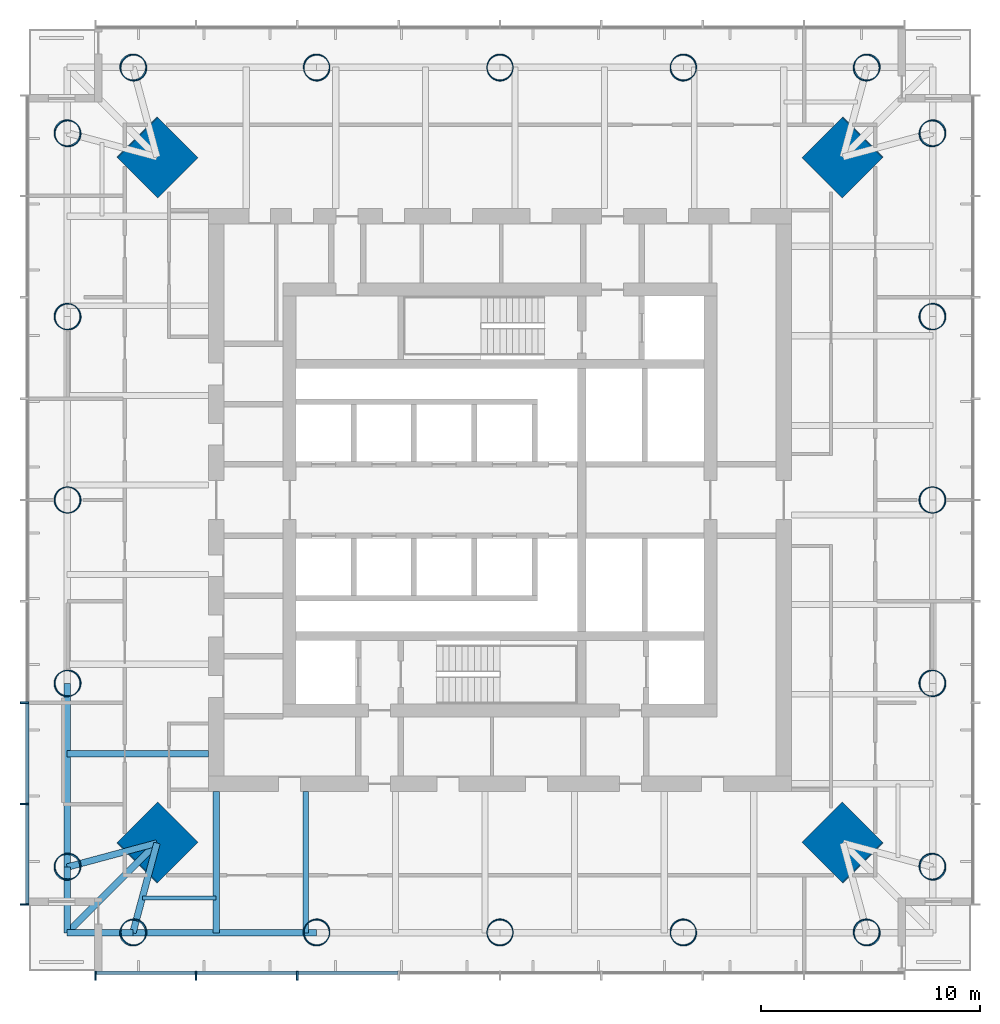
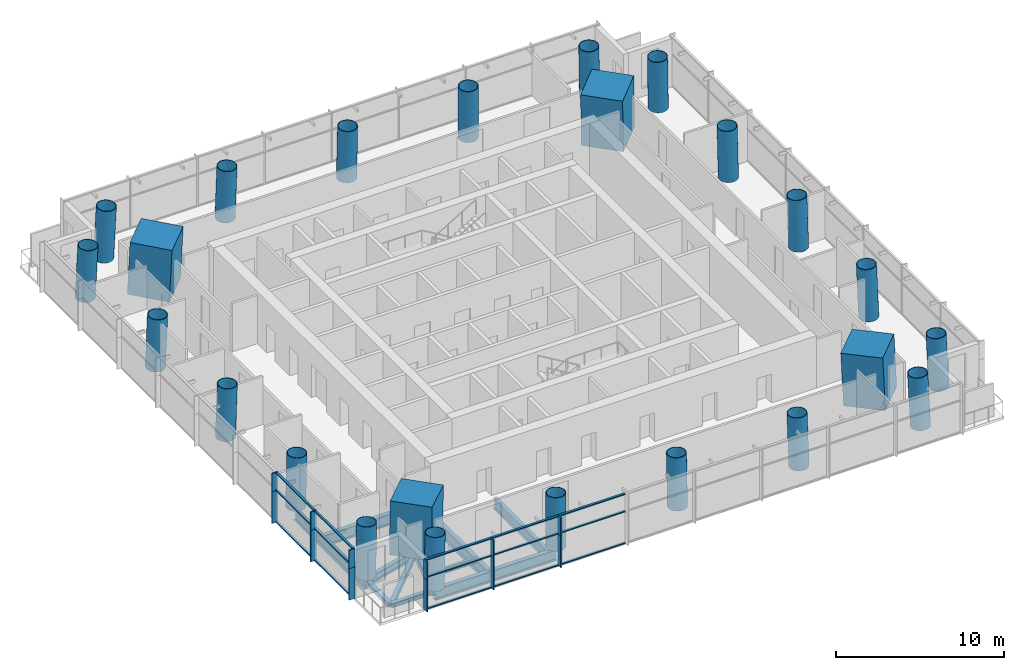
# One storey, part 1 of 11: 27 members, 24 columns, 11 beams, 4 elements without a shape of their own.
"""IFC4 building model written with IfcOpenShell, lengths in metres."""

from ifc_helpers import new_model, si_unit, direction, frame, origin, origin_2d, place, context, subcontext, project, spatial, rectangle, hollow_circle, i_section, extrude, material, material_profile, profile_set, type_object, element, aggregate, save


model = new_model("IFC4")

# Units and contexts
model_context = context("Model", 3, precision=1e-05, world=origin(), true_north=direction((0.0, 1.0)))
body_context = subcontext(model_context, "Body", "Model", "MODEL_VIEW")
ifc_project = project(units=[si_unit("LENGTHUNIT", "METRE"), si_unit("AREAUNIT", "SQUARE_METRE"), si_unit("VOLUMEUNIT", "CUBIC_METRE"), si_unit("PLANEANGLEUNIT", "RADIAN"), si_unit("MASSUNIT", "GRAM", prefix="KILO")], contexts=[model_context])

# Site, building, storey
site_placement = place(None, origin())
site = spatial("IfcSite", under=ifc_project, at=site_placement, CompositionType="ELEMENT")
building_placement = place(site_placement, origin())
building = spatial("IfcBuilding", under=site, at=building_placement, Name="Ostroluk Exchange", CompositionType="ELEMENT")
storey_placement = place(building_placement, frame((0.0, 0.0, 154.0)))
storey = spatial("IfcBuildingStorey", under=building, at=storey_placement, Name="L39", CompositionType="ELEMENT", Elevation=154.0)

# Columns
ifc_material_1 = material(Name="Concrete C50/60", Category="concrete")
ifc_material_profile_1 = material_profile(ifc_material_1, rectangle(XDim=2.60009765625, YDim=2.60009765625, at=origin_2d()), Name="RC 2600x2600")
ifc_profile_set_1 = profile_set([ifc_material_profile_1], Name="Concrete C50/60")
column_type_1 = type_object("IfcColumnType", Name="Mega column RC 2600x2600", PredefinedType="COLUMN", material=ifc_profile_set_1)
for number, where, z_axis, x_axis, name in (
    (1, (60.64990234375, 61.64990234375, 0.0), (-0.031898107953, -0.031898107953, 0.998981992539), (0.707106781187, -0.707106781187, 0.0), "T1 mega column NE"),
    (2, (29.35009765625, 61.64990234375, 0.0), (0.031898107953, -0.031898107953, 0.998981992539), (0.707106781187, 0.707106781187, 0.0), "T1 mega column NW"),
    (3, (29.35009765625, 30.35009765625, 0.0), (0.031898107953, 0.031898107953, 0.998981992539), (-0.707106781187, 0.707106781187, 0.0), "T1 mega column SW"),
    (4, (60.64990234375, 30.35009765625, 0.0), (-0.031898107953, 0.031898107953, 0.998981992539), (-0.707106781187, -0.707106781187, 0.0), "T1 mega column SE"),
):
    element("IfcColumn", number, at=place(storey_placement, frame(where, z_axis=z_axis, x_axis=x_axis)), inside=storey, type_object=column_type_1, Name=name, PredefinedType="COLUMN", context=body_context, shape_type="SweptSolid", body=[
        extrude(rectangle(XDim=2.60009765625, YDim=2.60009765625, at=origin_2d()), origin(), (0.0, 0.0, 1.0), 3.803955078125),
    ])
ifc_material_2 = material(Name="Steel S460", Category="steel")
ifc_material_profile_2 = material_profile(ifc_material_2, hollow_circle(Radius=0.609619140625, WallThickness=0.0400390625, at=origin_2d()), Name="CHS 1219x40")
ifc_profile_set_2 = profile_set([ifc_material_profile_2], Name="Steel S460")
column_type_2 = type_object("IfcColumnType", Name="Perimeter column CHS 1219x40", PredefinedType="COLUMN", material=ifc_profile_set_2)
for number, where, z_axis, x_axis, name in (
    (5, (64.75, 29.25, 0.0), (-0.031898107953, 0.031898107953, 0.998981992539), (-0.707106781187, -0.707106781187, 0.0), "T1 east face column E0"),
    (6, (64.75, 62.75, 0.0), (-0.031898107953, -0.031898107953, 0.998981992539), (0.707106781187, -0.707106781187, 0.0), "T1 east face column E1"),
):
    element("IfcColumn", number, at=place(storey_placement, frame(where, z_axis=z_axis, x_axis=x_axis)), inside=storey, type_object=column_type_2, Name=name, PredefinedType="COLUMN", context=body_context, shape_type="SweptSolid", body=[
        extrude(hollow_circle(Radius=0.609619140625, WallThickness=0.0400390625, at=origin_2d()), origin(), (0.0, 0.0, 1.0), 3.803955078125),
    ])
column_1_placement = place(storey_placement, frame((64.75, 37.625, 0.0), z_axis=(-0.031910269556, 0.015987237665, 0.999362868496), x_axis=(-0.447933021895, -0.894067115991, 0.0)))
element("IfcColumn", 7, at=column_1_placement, inside=storey, type_object=column_type_2, Name="T1 east face column I1", PredefinedType="COLUMN", context=body_context, shape_type="SweptSolid", body=[
    extrude(hollow_circle(Radius=0.609619140625, WallThickness=0.0400390625, at=origin_2d()), origin(), (0.0, 0.0, 1.0), 3.802490234375),
])
column_2_placement = place(storey_placement, frame((64.75, 46.0, 0.0), z_axis=(-0.031914348339, 0.0, 0.999490607445), x_axis=(0.0, -1.0, 0.0)))
element("IfcColumn", 8, at=column_2_placement, inside=storey, type_object=column_type_2, Name="T1 east face column I2", PredefinedType="COLUMN", context=body_context, shape_type="SweptSolid", body=[
    extrude(hollow_circle(Radius=0.609619140625, WallThickness=0.0400390625, at=origin_2d()), origin(), (0.0, 0.0, 1.0), 3.802001953125),
])
column_3_placement = place(storey_placement, frame((64.75, 54.375, 0.0), z_axis=(-0.031910269556, -0.015987237665, 0.999362868496), x_axis=(0.447933021895, -0.894067115991, 0.0)))
element("IfcColumn", 9, at=column_3_placement, inside=storey, type_object=column_type_2, Name="T1 east face column I3", PredefinedType="COLUMN", context=body_context, shape_type="SweptSolid", body=[
    extrude(hollow_circle(Radius=0.609619140625, WallThickness=0.0400390625, at=origin_2d()), origin(), (0.0, 0.0, 1.0), 3.802490234375),
])
for number, where, z_axis, x_axis, name in (
    (10, (61.75, 65.75, 0.0), (-0.031898107953, -0.031898107953, 0.998981992539), (0.707106781187, -0.707106781187, 0.0), "T1 north face column E0"),
    (11, (28.25, 65.75, 0.0), (0.031898107953, -0.031898107953, 0.998981992539), (0.707106781187, 0.707106781187, 0.0), "T1 north face column E1"),
):
    element("IfcColumn", number, at=place(storey_placement, frame(where, z_axis=z_axis, x_axis=x_axis)), inside=storey, type_object=column_type_2, Name=name, PredefinedType="COLUMN", context=body_context, shape_type="SweptSolid", body=[
        extrude(hollow_circle(Radius=0.609619140625, WallThickness=0.0400390625, at=origin_2d()), origin(), (0.0, 0.0, 1.0), 3.803955078125),
    ])
column_4_placement = place(storey_placement, frame((53.375, 65.75, 0.0), z_axis=(-0.015987237665, -0.031910269556, 0.999362868496), x_axis=(0.894067115991, -0.447933021895, 0.0)))
element("IfcColumn", 12, at=column_4_placement, inside=storey, type_object=column_type_2, Name="T1 north face column I1", PredefinedType="COLUMN", context=body_context, shape_type="SweptSolid", body=[
    extrude(hollow_circle(Radius=0.609619140625, WallThickness=0.0400390625, at=origin_2d()), origin(), (0.0, 0.0, 1.0), 3.802490234375),
])
column_5_placement = place(storey_placement, frame((45.0, 65.75, 0.0), z_axis=(0.0, -0.031914348339, 0.999490607445), x_axis=(1.0, 0.0, 0.0)))
element("IfcColumn", 13, at=column_5_placement, inside=storey, type_object=column_type_2, Name="T1 north face column I2", PredefinedType="COLUMN", context=body_context, shape_type="SweptSolid", body=[
    extrude(hollow_circle(Radius=0.609619140625, WallThickness=0.0400390625, at=origin_2d()), origin(), (0.0, 0.0, 1.0), 3.802001953125),
])
column_6_placement = place(storey_placement, frame((36.625, 65.75, 0.0), z_axis=(0.015987237665, -0.031910269556, 0.999362868496), x_axis=(0.894067115991, 0.447933021895, 0.0)))
element("IfcColumn", 14, at=column_6_placement, inside=storey, type_object=column_type_2, Name="T1 north face column I3", PredefinedType="COLUMN", context=body_context, shape_type="SweptSolid", body=[
    extrude(hollow_circle(Radius=0.609619140625, WallThickness=0.0400390625, at=origin_2d()), origin(), (0.0, 0.0, 1.0), 3.802490234375),
])
for number, where, z_axis, x_axis, name in (
    (15, (25.25, 62.75, 0.0), (0.031898107953, -0.031898107953, 0.998981992539), (0.707106781187, 0.707106781187, 0.0), "T1 west face column E0"),
    (16, (25.25, 29.25, 0.0), (0.031898107953, 0.031898107953, 0.998981992539), (-0.707106781187, 0.707106781187, 0.0), "T1 west face column E1"),
):
    element("IfcColumn", number, at=place(storey_placement, frame(where, z_axis=z_axis, x_axis=x_axis)), inside=storey, type_object=column_type_2, Name=name, PredefinedType="COLUMN", context=body_context, shape_type="SweptSolid", body=[
        extrude(hollow_circle(Radius=0.609619140625, WallThickness=0.0400390625, at=origin_2d()), origin(), (0.0, 0.0, 1.0), 3.803955078125),
    ])
column_7_placement = place(storey_placement, frame((25.25, 54.375, 0.0), z_axis=(0.031910269556, -0.015987237665, 0.999362868496), x_axis=(0.447933021895, 0.894067115991, 0.0)))
element("IfcColumn", 17, at=column_7_placement, inside=storey, type_object=column_type_2, Name="T1 west face column I1", PredefinedType="COLUMN", context=body_context, shape_type="SweptSolid", body=[
    extrude(hollow_circle(Radius=0.609619140625, WallThickness=0.0400390625, at=origin_2d()), origin(), (0.0, 0.0, 1.0), 3.802490234375),
])
column_8_placement = place(storey_placement, frame((25.25, 46.0, 0.0), z_axis=(0.031914348339, 0.0, 0.999490607445), x_axis=(0.0, 1.0, 0.0)))
element("IfcColumn", 18, at=column_8_placement, inside=storey, type_object=column_type_2, Name="T1 west face column I2", PredefinedType="COLUMN", context=body_context, shape_type="SweptSolid", body=[
    extrude(hollow_circle(Radius=0.609619140625, WallThickness=0.0400390625, at=origin_2d()), origin(), (0.0, 0.0, 1.0), 3.802001953125),
])
column_9_placement = place(storey_placement, frame((25.25, 37.625, 0.0), z_axis=(0.031910269556, 0.015987237665, 0.999362868496), x_axis=(-0.447933021895, 0.894067115991, 0.0)))
element("IfcColumn", 19, at=column_9_placement, inside=storey, type_object=column_type_2, Name="T1 west face column I3", PredefinedType="COLUMN", context=body_context, shape_type="SweptSolid", body=[
    extrude(hollow_circle(Radius=0.609619140625, WallThickness=0.0400390625, at=origin_2d()), origin(), (0.0, 0.0, 1.0), 3.802490234375),
])
for number, where, z_axis, x_axis, name in (
    (20, (28.25, 26.25, 0.0), (0.031898107953, 0.031898107953, 0.998981992539), (-0.707106781187, 0.707106781187, 0.0), "T1 south face column E0"),
    (21, (61.75, 26.25, 0.0), (-0.031898107953, 0.031898107953, 0.998981992539), (-0.707106781187, -0.707106781187, 0.0), "T1 south face column E1"),
):
    element("IfcColumn", number, at=place(storey_placement, frame(where, z_axis=z_axis, x_axis=x_axis)), inside=storey, type_object=column_type_2, Name=name, PredefinedType="COLUMN", context=body_context, shape_type="SweptSolid", body=[
        extrude(hollow_circle(Radius=0.609619140625, WallThickness=0.0400390625, at=origin_2d()), origin(), (0.0, 0.0, 1.0), 3.803955078125),
    ])
column_10_placement = place(storey_placement, frame((36.625, 26.25, 0.0), z_axis=(0.015987237665, 0.031910269556, 0.999362868496), x_axis=(-0.894067115991, 0.447933021895, 0.0)))
element("IfcColumn", 22, at=column_10_placement, inside=storey, type_object=column_type_2, Name="T1 south face column I1", PredefinedType="COLUMN", context=body_context, shape_type="SweptSolid", body=[
    extrude(hollow_circle(Radius=0.609619140625, WallThickness=0.0400390625, at=origin_2d()), origin(), (0.0, 0.0, 1.0), 3.802490234375),
])
column_11_placement = place(storey_placement, frame((45.0, 26.25, 0.0), z_axis=(0.0, 0.031914348339, 0.999490607445), x_axis=(-1.0, 0.0, 0.0)))
element("IfcColumn", 23, at=column_11_placement, inside=storey, type_object=column_type_2, Name="T1 south face column I2", PredefinedType="COLUMN", context=body_context, shape_type="SweptSolid", body=[
    extrude(hollow_circle(Radius=0.609619140625, WallThickness=0.0400390625, at=origin_2d()), origin(), (0.0, 0.0, 1.0), 3.802001953125),
])
column_12_placement = place(storey_placement, frame((53.375, 26.25, 0.0), z_axis=(-0.015987237665, 0.031910269556, 0.999362868496), x_axis=(-0.894067115991, -0.447933021895, 0.0)))
element("IfcColumn", 24, at=column_12_placement, inside=storey, type_object=column_type_2, Name="T1 south face column I3", PredefinedType="COLUMN", context=body_context, shape_type="SweptSolid", body=[
    extrude(hollow_circle(Radius=0.609619140625, WallThickness=0.0400390625, at=origin_2d()), origin(), (0.0, 0.0, 1.0), 3.802490234375),
])

# Beams
ifc_material_3 = material(Name="Steel S355", Category="steel")
ifc_material_profile_3 = material_profile(ifc_material_3, i_section(OverallWidth=0.300048828125, OverallDepth=0.300048828125, WebThickness=0.010986328125, FlangeThickness=0.01904296875, FilletRadius=0.027099609375, at=origin_2d()), Name="HEB 300")
ifc_profile_set_3 = profile_set([ifc_material_profile_3], Name="Steel S355")
beam_type_1 = type_object("IfcBeamType", Name="Balcony beam HEB 300", PredefinedType="BEAM", material=ifc_profile_set_3)
for number, where, z_axis, x_axis, name in (
    (25, (25.25, 29.25, -0.330078125), (0.0, -1.0, 0.0), (1.0, 0.0, 0.0), "T1 west balcony beam a"),
    (26, (28.25, 26.25, -0.330078125), (-1.0, 0.0, 0.0), (0.0, -1.0, 0.0), "T1 west balcony beam b"),
):
    element("IfcBeam", number, at=place(storey_placement, frame(where, z_axis=z_axis, x_axis=x_axis)), inside=storey, type_object=beam_type_1, Name=name, PredefinedType="BEAM", context=body_context, shape_type="SweptSolid", body=[
        extrude(i_section(OverallWidth=0.300048828125, OverallDepth=0.300048828125, WebThickness=0.010986328125, FlangeThickness=0.01904296875, FilletRadius=0.027099609375, at=origin_2d()), origin(), (0.0, 0.0, 1.0), 3.0),
    ])
beam_1_placement = place(storey_placement, frame((29.35009765625, 30.35009765625, -0.330078125), z_axis=(-0.707106781187, -0.707106781187, 0.0), x_axis=(0.707106781187, -0.707106781187, 0.0)))
element("IfcBeam", 27, at=beam_1_placement, inside=storey, type_object=beam_type_1, Name="T1 west balcony beam c", PredefinedType="BEAM", context=body_context, shape_type="SweptSolid", body=[
    extrude(i_section(OverallWidth=0.300048828125, OverallDepth=0.300048828125, WebThickness=0.010986328125, FlangeThickness=0.01904296875, FilletRadius=0.027099609375, at=origin_2d()), origin(), (0.0, 0.0, 1.0), 5.79833984375),
])
ifc_material_4 = material(Name="Steel S355", Category="steel")
ifc_material_profile_4 = material_profile(ifc_material_4, i_section(OverallWidth=0.300048828125, OverallDepth=0.550048828125, WebThickness=0.014892578125, FlangeThickness=0.029052734375, FilletRadius=0.027099609375, at=origin_2d()), Name="HEB 550")
ifc_profile_set_4 = profile_set([ifc_material_profile_4], Name="Steel S355")
beam_type_2 = type_object("IfcBeamType", Name="Corner edge beam HEB 550", PredefinedType="SPANDREL", material=ifc_profile_set_4)
for number, where, z_axis, x_axis, name in (
    (28, (29.35009765625, 30.35009765625, -0.455078125), (-0.965838624319, -0.259144268261, 0.0), (0.259144268261, -0.965838624319, 0.0), "T1 west corner edge beam a"),
    (29, (29.35009765625, 30.35009765625, -0.455078125), (-0.259144268261, -0.965838624319, 0.0), (0.965838624319, -0.259144268261, 0.0), "T1 west corner edge beam b"),
):
    element("IfcBeam", number, at=place(storey_placement, frame(where, z_axis=z_axis, x_axis=x_axis)), inside=storey, type_object=beam_type_2, Name=name, PredefinedType="SPANDREL", context=body_context, shape_type="SweptSolid", body=[
        extrude(i_section(OverallWidth=0.300048828125, OverallDepth=0.550048828125, WebThickness=0.014892578125, FlangeThickness=0.029052734375, FilletRadius=0.027099609375, at=origin_2d()), origin(), (0.0, 0.0, 1.0), 4.2451171875),
    ])
ifc_material_5 = material(Name="Steel S355", Category="steel")
ifc_material_profile_5 = material_profile(ifc_material_5, i_section(OverallWidth=0.302978515625, OverallDepth=0.81396484375, WebThickness=0.02099609375, FlangeThickness=0.0400390625, FilletRadius=0.030029296875, at=origin_2d()), Name="HEM 800")
ifc_profile_set_5 = profile_set([ifc_material_profile_5], Name="Steel S355")
beam_type_3 = type_object("IfcBeamType", Name="Floor beam HEM 800", PredefinedType="BEAM", material=ifc_profile_set_5)
beam_2_placement = place(storey_placement, frame((31.699951171875, 34.425048828125, -0.5869140625), z_axis=(-1.0, 0.0, 0.0), x_axis=(0.0, -1.0, 0.0)))
element("IfcBeam", 30, at=beam_2_placement, inside=storey, type_object=beam_type_3, Name="T1 west floor beam 6", PredefinedType="BEAM", context=body_context, shape_type="SweptSolid", body=[
    extrude(i_section(OverallWidth=0.302978515625, OverallDepth=0.81396484375, WebThickness=0.02099609375, FlangeThickness=0.0400390625, FilletRadius=0.030029296875, at=origin_2d()), origin(), (0.0, 0.0, 1.0), 6.449951171875),
])
ifc_material_6 = material(Name="Steel S355", Category="steel")
ifc_material_profile_6 = material_profile(ifc_material_6, i_section(OverallWidth=0.179931640625, OverallDepth=0.39990234375, WebThickness=0.008544921875, FlangeThickness=0.013427734375, FilletRadius=0.02099609375, at=origin_2d()), Name="IPE 400")
ifc_profile_set_6 = profile_set([ifc_material_profile_6], Name="Steel S355")
beam_type_4 = type_object("IfcBeamType", Name="Floor beam IPE 400", PredefinedType="BEAM", material=ifc_profile_set_6)
beam_3_placement = place(storey_placement, frame((32.050048828125, 27.85009765625, -0.3798828125), z_axis=(-1.0, 0.0, 0.0), x_axis=(0.0, -1.0, 0.0)))
element("IfcBeam", 31, at=beam_3_placement, inside=storey, type_object=beam_type_4, Name="T1 west floor beam 7", PredefinedType="BEAM", context=body_context, shape_type="SweptSolid", body=[
    extrude(i_section(OverallWidth=0.179931640625, OverallDepth=0.39990234375, WebThickness=0.008544921875, FlangeThickness=0.013427734375, FilletRadius=0.02099609375, at=origin_2d()), origin(), (0.0, 0.0, 1.0), 3.370849609375),
])
ifc_material_7 = material(Name="Steel S355", Category="steel")
ifc_material_profile_7 = material_profile(ifc_material_7, i_section(OverallWidth=0.26708984375, OverallDepth=0.761962890625, WebThickness=0.014404296875, FlangeThickness=0.021484375, FilletRadius=0.01708984375, at=origin_2d()), Name="IPE 750x173")
ifc_profile_set_7 = profile_set([ifc_material_profile_7], Name="Steel S355")
beam_type_5 = type_object("IfcBeamType", Name="Floor beam IPE 750x173", PredefinedType="BEAM", material=ifc_profile_set_7)
beam_4_placement = place(storey_placement, frame((36.137451171875, 32.699951171875, -0.56103515625), z_axis=(0.0, -1.0, 0.0), x_axis=(1.0, 0.0, 0.0)))
element("IfcBeam", 32, at=beam_4_placement, inside=storey, type_object=beam_type_5, Name="T1 south floor beam 1", PredefinedType="BEAM", context=body_context, shape_type="SweptSolid", body=[
    extrude(i_section(OverallWidth=0.26708984375, OverallDepth=0.761962890625, WebThickness=0.014404296875, FlangeThickness=0.021484375, FilletRadius=0.01708984375, at=origin_2d()), origin(), (0.0, 0.0, 1.0), 6.449951171875),
])
ifc_material_8 = material(Name="Steel S355", Category="steel")
ifc_material_profile_8 = material_profile(ifc_material_8, i_section(OverallWidth=0.300048828125, OverallDepth=0.89990234375, WebThickness=0.0185546875, FlangeThickness=0.034912109375, FilletRadius=0.030029296875, at=origin_2d()), Name="HEB 900")
ifc_profile_set_8 = profile_set([ifc_material_profile_8], Name="Steel S355")
beam_type_6 = type_object("IfcBeamType", Name="Girder HEB 900", PredefinedType="BEAM", material=ifc_profile_set_8)
beam_5_placement = place(storey_placement, frame((32.050048828125, 32.699951171875, -0.6298828125), z_axis=(0.0, -1.0, 0.0), x_axis=(1.0, 0.0, 0.0)))
element("IfcBeam", 33, at=beam_5_placement, inside=storey, type_object=beam_type_6, Name="T1 west girder", PredefinedType="BEAM", context=body_context, shape_type="SweptSolid", body=[
    extrude(i_section(OverallWidth=0.300048828125, OverallDepth=0.89990234375, WebThickness=0.0185546875, FlangeThickness=0.034912109375, FilletRadius=0.030029296875, at=origin_2d()), origin(), (0.0, 0.0, 1.0), 6.449951171875),
])
ifc_material_9 = material(Name="Steel S355", Category="steel")
ifc_material_profile_9 = material_profile(ifc_material_9, i_section(OverallWidth=0.300048828125, OverallDepth=0.800048828125, WebThickness=0.017578125, FlangeThickness=0.032958984375, FilletRadius=0.030029296875, at=origin_2d()), Name="HEB 800")
ifc_profile_set_9 = profile_set([ifc_material_profile_9], Name="Steel S355")
beam_type_7 = type_object("IfcBeamType", Name="Moment-connected edge beam HEB 800", PredefinedType="SPANDREL", material=ifc_profile_set_9)
for number, where, z_axis, x_axis, name in (
    (34, (25.25, 37.625, -0.580078125), (0.0, -1.0, 0.0), (1.0, 0.0, 0.0), "T1 west edge beam 4"),
    (35, (28.25, 26.25, -0.580078125), (1.0, 0.0, 0.0), (0.0, 1.0, 0.0), "T1 south edge beam 1"),
):
    element("IfcBeam", number, at=place(storey_placement, frame(where, z_axis=z_axis, x_axis=x_axis)), inside=storey, type_object=beam_type_7, Name=name, PredefinedType="SPANDREL", context=body_context, shape_type="SweptSolid", body=[
        extrude(i_section(OverallWidth=0.300048828125, OverallDepth=0.800048828125, WebThickness=0.017578125, FlangeThickness=0.032958984375, FilletRadius=0.030029296875, at=origin_2d()), origin(), (0.0, 0.0, 1.0), 8.375),
    ])

# Curtain wall, members
ifc_material_10 = material(Name="Laminated clear glass", Category="glass")
curtain_wall_type = type_object("IfcCurtainWallType", Name="Office tower facade", PredefinedType="USERDEFINED", material=ifc_material_10)
curtain_wall_1_placement = place(storey_placement, origin())
curtain_wall_1 = element("IfcCurtainWall", 36, at=curtain_wall_1_placement, inside=storey, type_object=curtain_wall_type, Name="Office tower south facade L39", ObjectType="UNITISED CURTAIN WALL", PredefinedType="USERDEFINED")
ifc_material_11 = material(Name="Aluminium mullion", Category="aluminium")
ifc_material_profile_10 = material_profile(ifc_material_11, rectangle(XDim=0.14990234375, YDim=0.080078125, at=origin_2d()), Name="Sill transom 80 x 150")
ifc_profile_set_10 = profile_set([ifc_material_profile_10], Name="Aluminium mullion")
member_type_1 = type_object("IfcMemberType", Name="Sill transom 80 x 150", PredefinedType="USERDEFINED", material=ifc_profile_set_10)
member_1_placement = place(storey_placement, frame((26.580078125, 24.425048828125, 0.0400390625), z_axis=(1.0, 0.0, 0.0), x_axis=(0.0, 1.0, 0.0)))
member_1 = element("IfcMember", 37, at=member_1_placement, type_object=member_type_1, Name="CW-O1 transom 1.1", ObjectType="TRANSOM", PredefinedType="USERDEFINED", context=body_context, shape_type="SweptSolid", body=[
    extrude(rectangle(XDim=0.14990234375, YDim=0.080078125, at=origin_2d()), origin(), (0.0, 0.0, 1.0), 4.5048828125),
])
member_2_placement = place(storey_placement, frame((31.1650390625, 24.425048828125, 0.0400390625), z_axis=(1.0, 0.0, 0.0), x_axis=(0.0, 1.0, 0.0)))
member_2 = element("IfcMember", 38, at=member_2_placement, type_object=member_type_1, Name="CW-O1 transom 2.1", ObjectType="TRANSOM", PredefinedType="USERDEFINED", context=body_context, shape_type="SweptSolid", body=[
    extrude(rectangle(XDim=0.14990234375, YDim=0.080078125, at=origin_2d()), origin(), (0.0, 0.0, 1.0), 4.544921875),
])
member_3_placement = place(storey_placement, frame((35.7900390625, 24.425048828125, 0.0400390625), z_axis=(1.0, 0.0, 0.0), x_axis=(0.0, 1.0, 0.0)))
member_3 = element("IfcMember", 39, at=member_3_placement, type_object=member_type_1, Name="CW-O1 transom 3.1", ObjectType="TRANSOM", PredefinedType="USERDEFINED", context=body_context, shape_type="SweptSolid", body=[
    extrude(rectangle(XDim=0.14990234375, YDim=0.080078125, at=origin_2d()), origin(), (0.0, 0.0, 1.0), 4.544921875),
])

curtain_wall_2_placement = place(storey_placement, origin())
curtain_wall_2 = element("IfcCurtainWall", 40, at=curtain_wall_2_placement, inside=storey, type_object=curtain_wall_type, Name="Office tower south spandrel L39", ObjectType="UNITISED CURTAIN WALL", PredefinedType="USERDEFINED")
member_4_placement = place(storey_placement, frame((26.580078125, 24.425048828125, 2.353515625), z_axis=(1.0, 0.0, 0.0), x_axis=(0.0, 1.0, 0.0)))
member_4 = element("IfcMember", 41, at=member_4_placement, type_object=member_type_1, Name="CW-O1 transom 1.1", ObjectType="TRANSOM", PredefinedType="USERDEFINED", context=body_context, shape_type="SweptSolid", body=[
    extrude(rectangle(XDim=0.14990234375, YDim=0.080078125, at=origin_2d()), origin(), (0.0, 0.0, 1.0), 4.5048828125),
])
member_5_placement = place(storey_placement, frame((26.580078125, 24.425048828125, 3.610107421875), z_axis=(1.0, 0.0, 0.0), x_axis=(0.0, 1.0, 0.0)))
member_5 = element("IfcMember", 42, at=member_5_placement, type_object=member_type_1, Name="CW-O1 transom 1.2", ObjectType="TRANSOM", PredefinedType="USERDEFINED", context=body_context, shape_type="SweptSolid", body=[
    extrude(rectangle(XDim=0.14990234375, YDim=0.080078125, at=origin_2d()), origin(), (0.0, 0.0, 1.0), 4.5048828125),
])
member_6_placement = place(storey_placement, frame((31.1650390625, 24.425048828125, 2.353515625), z_axis=(1.0, 0.0, 0.0), x_axis=(0.0, 1.0, 0.0)))
member_6 = element("IfcMember", 43, at=member_6_placement, type_object=member_type_1, Name="CW-O1 transom 2.1", ObjectType="TRANSOM", PredefinedType="USERDEFINED", context=body_context, shape_type="SweptSolid", body=[
    extrude(rectangle(XDim=0.14990234375, YDim=0.080078125, at=origin_2d()), origin(), (0.0, 0.0, 1.0), 4.544921875),
])
member_7_placement = place(storey_placement, frame((31.1650390625, 24.425048828125, 3.610107421875), z_axis=(1.0, 0.0, 0.0), x_axis=(0.0, 1.0, 0.0)))
member_7 = element("IfcMember", 44, at=member_7_placement, type_object=member_type_1, Name="CW-O1 transom 2.2", ObjectType="TRANSOM", PredefinedType="USERDEFINED", context=body_context, shape_type="SweptSolid", body=[
    extrude(rectangle(XDim=0.14990234375, YDim=0.080078125, at=origin_2d()), origin(), (0.0, 0.0, 1.0), 4.544921875),
])
member_8_placement = place(storey_placement, frame((35.7900390625, 24.425048828125, 2.353515625), z_axis=(1.0, 0.0, 0.0), x_axis=(0.0, 1.0, 0.0)))
member_8 = element("IfcMember", 45, at=member_8_placement, type_object=member_type_1, Name="CW-O1 transom 3.1", ObjectType="TRANSOM", PredefinedType="USERDEFINED", context=body_context, shape_type="SweptSolid", body=[
    extrude(rectangle(XDim=0.14990234375, YDim=0.080078125, at=origin_2d()), origin(), (0.0, 0.0, 1.0), 4.544921875),
])
member_9_placement = place(storey_placement, frame((35.7900390625, 24.425048828125, 3.610107421875), z_axis=(1.0, 0.0, 0.0), x_axis=(0.0, 1.0, 0.0)))
member_9 = element("IfcMember", 46, at=member_9_placement, type_object=member_type_1, Name="CW-O1 transom 3.2", ObjectType="TRANSOM", PredefinedType="USERDEFINED", context=body_context, shape_type="SweptSolid", body=[
    extrude(rectangle(XDim=0.14990234375, YDim=0.080078125, at=origin_2d()), origin(), (0.0, 0.0, 1.0), 4.544921875),
])

curtain_wall_3_placement = place(storey_placement, origin())
curtain_wall_3 = element("IfcCurtainWall", 47, at=curtain_wall_3_placement, inside=storey, type_object=curtain_wall_type, Name="Office tower west facade L39", ObjectType="UNITISED CURTAIN WALL", PredefinedType="USERDEFINED")
member_10_placement = place(storey_placement, frame((23.425048828125, 36.7099609375, 0.0400390625), z_axis=(0.0, -1.0, 0.0), x_axis=(1.0, 0.0, 0.0)))
member_10 = element("IfcMember", 48, at=member_10_placement, type_object=member_type_1, Name="CW-O1 transom 7.1", ObjectType="TRANSOM", PredefinedType="USERDEFINED", context=body_context, shape_type="SweptSolid", body=[
    extrude(rectangle(XDim=0.14990234375, YDim=0.080078125, at=origin_2d()), origin(), (0.0, 0.0, 1.0), 4.544921875),
])
member_11_placement = place(storey_placement, frame((23.425048828125, 32.0849609375, 0.0400390625), z_axis=(0.0, -1.0, 0.0), x_axis=(1.0, 0.0, 0.0)))
member_11 = element("IfcMember", 49, at=member_11_placement, type_object=member_type_1, Name="CW-O1 transom 8.1", ObjectType="TRANSOM", PredefinedType="USERDEFINED", context=body_context, shape_type="SweptSolid", body=[
    extrude(rectangle(XDim=0.14990234375, YDim=0.080078125, at=origin_2d()), origin(), (0.0, 0.0, 1.0), 4.5048828125),
])

curtain_wall_4_placement = place(storey_placement, origin())
curtain_wall_4 = element("IfcCurtainWall", 50, at=curtain_wall_4_placement, inside=storey, type_object=curtain_wall_type, Name="Office tower west spandrel L39", ObjectType="UNITISED CURTAIN WALL", PredefinedType="USERDEFINED")
member_12_placement = place(storey_placement, frame((23.425048828125, 36.7099609375, 2.353515625), z_axis=(0.0, -1.0, 0.0), x_axis=(1.0, 0.0, 0.0)))
member_12 = element("IfcMember", 51, at=member_12_placement, type_object=member_type_1, Name="CW-O1 transom 7.1", ObjectType="TRANSOM", PredefinedType="USERDEFINED", context=body_context, shape_type="SweptSolid", body=[
    extrude(rectangle(XDim=0.14990234375, YDim=0.080078125, at=origin_2d()), origin(), (0.0, 0.0, 1.0), 4.544921875),
])
member_13_placement = place(storey_placement, frame((23.425048828125, 36.7099609375, 3.610107421875), z_axis=(0.0, -1.0, 0.0), x_axis=(1.0, 0.0, 0.0)))
member_13 = element("IfcMember", 52, at=member_13_placement, type_object=member_type_1, Name="CW-O1 transom 7.2", ObjectType="TRANSOM", PredefinedType="USERDEFINED", context=body_context, shape_type="SweptSolid", body=[
    extrude(rectangle(XDim=0.14990234375, YDim=0.080078125, at=origin_2d()), origin(), (0.0, 0.0, 1.0), 4.544921875),
])
member_14_placement = place(storey_placement, frame((23.425048828125, 32.0849609375, 2.353515625), z_axis=(0.0, -1.0, 0.0), x_axis=(1.0, 0.0, 0.0)))
member_14 = element("IfcMember", 53, at=member_14_placement, type_object=member_type_1, Name="CW-O1 transom 8.1", ObjectType="TRANSOM", PredefinedType="USERDEFINED", context=body_context, shape_type="SweptSolid", body=[
    extrude(rectangle(XDim=0.14990234375, YDim=0.080078125, at=origin_2d()), origin(), (0.0, 0.0, 1.0), 4.5048828125),
])
member_15_placement = place(storey_placement, frame((23.425048828125, 32.0849609375, 3.610107421875), z_axis=(0.0, -1.0, 0.0), x_axis=(1.0, 0.0, 0.0)))
member_15 = element("IfcMember", 54, at=member_15_placement, type_object=member_type_1, Name="CW-O1 transom 8.2", ObjectType="TRANSOM", PredefinedType="USERDEFINED", context=body_context, shape_type="SweptSolid", body=[
    extrude(rectangle(XDim=0.14990234375, YDim=0.080078125, at=origin_2d()), origin(), (0.0, 0.0, 1.0), 4.5048828125),
])

# Member
ifc_material_12 = material(Name="Aluminium mullion with limestone facing", Category="masonry")
ifc_material_profile_11 = material_profile(ifc_material_12, rectangle(XDim=0.39990234375, YDim=0.080078125, at=origin_2d()), Name="Tracery mullion 80 x 400")
ifc_profile_set_11 = profile_set([ifc_material_profile_11], Name="Aluminium mullion with limestone facing")
member_type_2 = type_object("IfcMemberType", Name="Tracery mullion 80 x 400", PredefinedType="MULLION", material=ifc_profile_set_11)
member_16_placement = place(storey_placement, frame((26.5400390625, 24.300048828125, 0.0), z_axis=(0.0, 0.0, 1.0), x_axis=(0.0, 1.0, 0.0)))
member_16 = element("IfcMember", 55, at=member_16_placement, type_object=member_type_2, Name="CW-O1 mullion 1", PredefinedType="MULLION", context=body_context, shape_type="SweptSolid", body=[
    extrude(rectangle(XDim=0.39990234375, YDim=0.080078125, at=origin_2d()), origin(), (0.0, 0.0, 1.0), 2.3134765625),
])

member_17_placement = place(storey_placement, frame((31.125, 24.300048828125, 0.0), z_axis=(0.0, 0.0, 1.0), x_axis=(0.0, 1.0, 0.0)))
member_17 = element("IfcMember", 56, at=member_17_placement, type_object=member_type_2, Name="CW-O1 mullion 2", PredefinedType="MULLION", context=body_context, shape_type="SweptSolid", body=[
    extrude(rectangle(XDim=0.39990234375, YDim=0.080078125, at=origin_2d()), origin(), (0.0, 0.0, 1.0), 2.3134765625),
])

member_18_placement = place(storey_placement, frame((35.75, 24.300048828125, 0.0), z_axis=(0.0, 0.0, 1.0), x_axis=(0.0, 1.0, 0.0)))
member_18 = element("IfcMember", 57, at=member_18_placement, type_object=member_type_2, Name="CW-O1 mullion 3", PredefinedType="MULLION", context=body_context, shape_type="SweptSolid", body=[
    extrude(rectangle(XDim=0.39990234375, YDim=0.080078125, at=origin_2d()), origin(), (0.0, 0.0, 1.0), 2.3134765625),
])

aggregate(curtain_wall_1, [member_16, member_17, member_18, member_1, member_2, member_3])

member_19_placement = place(storey_placement, frame((26.5400390625, 24.300048828125, 2.3134765625), z_axis=(0.0, 0.0, 1.0), x_axis=(0.0, 1.0, 0.0)))
member_19 = element("IfcMember", 58, at=member_19_placement, type_object=member_type_2, Name="CW-O1 mullion 1", PredefinedType="MULLION", context=body_context, shape_type="SweptSolid", body=[
    extrude(rectangle(XDim=0.39990234375, YDim=0.080078125, at=origin_2d()), origin(), (0.0, 0.0, 1.0), 1.33642578125),
])

member_20_placement = place(storey_placement, frame((31.125, 24.300048828125, 2.3134765625), z_axis=(0.0, 0.0, 1.0), x_axis=(0.0, 1.0, 0.0)))
member_20 = element("IfcMember", 59, at=member_20_placement, type_object=member_type_2, Name="CW-O1 mullion 2", PredefinedType="MULLION", context=body_context, shape_type="SweptSolid", body=[
    extrude(rectangle(XDim=0.39990234375, YDim=0.080078125, at=origin_2d()), origin(), (0.0, 0.0, 1.0), 1.33642578125),
])

member_21_placement = place(storey_placement, frame((35.75, 24.300048828125, 2.3134765625), z_axis=(0.0, 0.0, 1.0), x_axis=(0.0, 1.0, 0.0)))
member_21 = element("IfcMember", 60, at=member_21_placement, type_object=member_type_2, Name="CW-O1 mullion 3", PredefinedType="MULLION", context=body_context, shape_type="SweptSolid", body=[
    extrude(rectangle(XDim=0.39990234375, YDim=0.080078125, at=origin_2d()), origin(), (0.0, 0.0, 1.0), 1.33642578125),
])

aggregate(curtain_wall_2, [member_19, member_20, member_21, member_4, member_5, member_6, member_7, member_8, member_9])

member_22_placement = place(storey_placement, frame((23.300048828125, 36.75, 0.0), z_axis=(0.0, 0.0, 1.0), x_axis=(1.0, 0.0, 0.0)))
member_22 = element("IfcMember", 61, at=member_22_placement, type_object=member_type_2, Name="CW-O1 mullion 7", PredefinedType="MULLION", context=body_context, shape_type="SweptSolid", body=[
    extrude(rectangle(XDim=0.39990234375, YDim=0.080078125, at=origin_2d()), origin(), (0.0, 0.0, 1.0), 2.3134765625),
])

member_23_placement = place(storey_placement, frame((23.300048828125, 32.125, 0.0), z_axis=(0.0, 0.0, 1.0), x_axis=(1.0, 0.0, 0.0)))
member_23 = element("IfcMember", 62, at=member_23_placement, type_object=member_type_2, Name="CW-O1 mullion 8", PredefinedType="MULLION", context=body_context, shape_type="SweptSolid", body=[
    extrude(rectangle(XDim=0.39990234375, YDim=0.080078125, at=origin_2d()), origin(), (0.0, 0.0, 1.0), 2.3134765625),
])

member_24_placement = place(storey_placement, frame((23.300048828125, 27.5400390625, 0.0), z_axis=(0.0, 0.0, 1.0), x_axis=(1.0, 0.0, 0.0)))
member_24 = element("IfcMember", 63, at=member_24_placement, type_object=member_type_2, Name="CW-O1 mullion 9", PredefinedType="MULLION", context=body_context, shape_type="SweptSolid", body=[
    extrude(rectangle(XDim=0.39990234375, YDim=0.080078125, at=origin_2d()), origin(), (0.0, 0.0, 1.0), 2.3134765625),
])

aggregate(curtain_wall_3, [member_22, member_23, member_24, member_10, member_11])

member_25_placement = place(storey_placement, frame((23.300048828125, 36.75, 2.3134765625), z_axis=(0.0, 0.0, 1.0), x_axis=(1.0, 0.0, 0.0)))
member_25 = element("IfcMember", 64, at=member_25_placement, type_object=member_type_2, Name="CW-O1 mullion 7", PredefinedType="MULLION", context=body_context, shape_type="SweptSolid", body=[
    extrude(rectangle(XDim=0.39990234375, YDim=0.080078125, at=origin_2d()), origin(), (0.0, 0.0, 1.0), 1.33642578125),
])

member_26_placement = place(storey_placement, frame((23.300048828125, 32.125, 2.3134765625), z_axis=(0.0, 0.0, 1.0), x_axis=(1.0, 0.0, 0.0)))
member_26 = element("IfcMember", 65, at=member_26_placement, type_object=member_type_2, Name="CW-O1 mullion 8", PredefinedType="MULLION", context=body_context, shape_type="SweptSolid", body=[
    extrude(rectangle(XDim=0.39990234375, YDim=0.080078125, at=origin_2d()), origin(), (0.0, 0.0, 1.0), 1.33642578125),
])

member_27_placement = place(storey_placement, frame((23.300048828125, 27.5400390625, 2.3134765625), z_axis=(0.0, 0.0, 1.0), x_axis=(1.0, 0.0, 0.0)))
member_27 = element("IfcMember", 66, at=member_27_placement, type_object=member_type_2, Name="CW-O1 mullion 9", PredefinedType="MULLION", context=body_context, shape_type="SweptSolid", body=[
    extrude(rectangle(XDim=0.39990234375, YDim=0.080078125, at=origin_2d()), origin(), (0.0, 0.0, 1.0), 1.33642578125),
])

aggregate(curtain_wall_4, [member_25, member_26, member_27, member_12, member_13, member_14, member_15])

save(model, "model.ifc")
